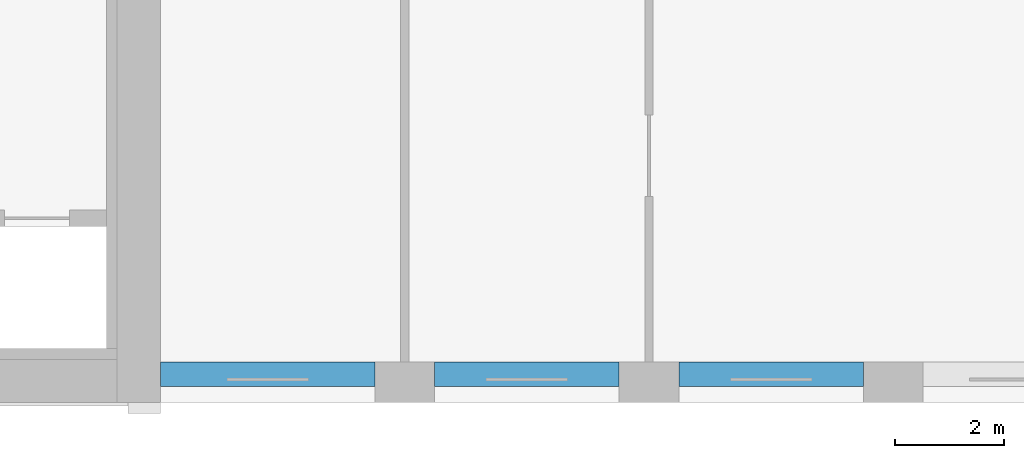
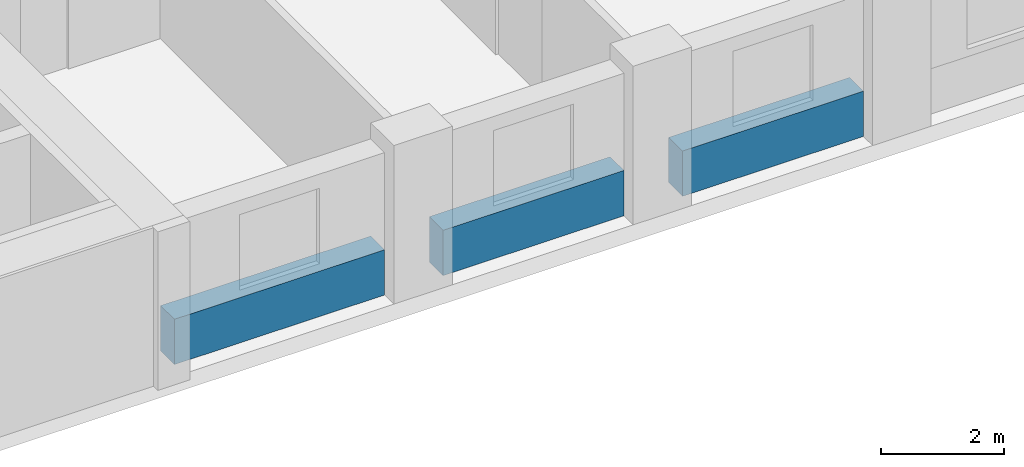
# One storey, part 3 of 16: 3 beams.
"""IFC4 building model written with IfcOpenShell, lengths in metres."""

from ifc_helpers import new_model, si_unit, direction, frame, origin, origin_2d, place, context, subcontext, project, spatial, rectangle, extrude, material, material_profile, profile_set, type_object, element, save


model = new_model("IFC4")

# Units and contexts
model_context = context("Model", 3, precision=1e-05, world=origin(), true_north=direction((0.0, 1.0)))
body_context = subcontext(model_context, "Body", "Model", "MODEL_VIEW")
ifc_project = project(units=[si_unit("LENGTHUNIT", "METRE"), si_unit("AREAUNIT", "SQUARE_METRE"), si_unit("VOLUMEUNIT", "CUBIC_METRE"), si_unit("PLANEANGLEUNIT", "RADIAN"), si_unit("MASSUNIT", "GRAM", prefix="KILO")], contexts=[model_context])

# Site, building, storey
site_placement = place(None, origin())
site = spatial("IfcSite", under=ifc_project, at=site_placement, CompositionType="ELEMENT")
building_placement = place(site_placement, origin())
building = spatial("IfcBuilding", under=site, at=building_placement, Name="Brigalow Station Residences", CompositionType="ELEMENT")
storey_placement = place(building_placement, frame((0.0, 0.0, 124.5)))
storey = spatial("IfcBuildingStorey", under=building, at=storey_placement, Name="L36", CompositionType="ELEMENT", Elevation=124.5)

# Beams
ifc_material = material(Name="Concrete C65", Category="concrete")
ifc_material_profile = material_profile(ifc_material, rectangle(XDim=0.449951171875, YDim=0.89990234375, at=origin_2d()), Name="RC450x900")
ifc_profile_set = profile_set([ifc_material_profile], Name="Concrete C65")
beam_type = type_object("IfcBeamType", Name="SPANDREL BEAM 450x900 C65", PredefinedType="SPANDREL", material=ifc_profile_set)
beam_placement = place(storey_placement, frame((54.0, 0.52490234375, 0.449951171875), z_axis=(1.0, 0.0, 0.0), x_axis=(0.0, 1.0, 0.0)))
element("IfcBeam", 1, at=beam_placement, inside=storey, type_object=beam_type, Name="L36/spandrel/W-L36-4", PredefinedType="SPANDREL", context=body_context, shape_type="SweptSolid", body=[
    extrude(rectangle(XDim=0.449951171875, YDim=0.89990234375, at=origin_2d()), origin(), (0.0, 0.0, 1.0), 3.949951171875),
])
for number, where, z_axis, x_axis, name in (
    (2, (59.050048828125, 0.52490234375, 0.449951171875), (1.0, 0.0, 0.0), (0.0, 1.0, 0.0), "L36/spandrel/W-L36-5"),
    (3, (63.550048828125, 0.52490234375, 0.449951171875), (1.0, 0.0, 0.0), (0.0, 1.0, 0.0), "L36/spandrel/W-L36-6"),
):
    element("IfcBeam", number, at=place(storey_placement, frame(where, z_axis=z_axis, x_axis=x_axis)), inside=storey, type_object=beam_type, Name=name, PredefinedType="SPANDREL", context=body_context, shape_type="SweptSolid", body=[
        extrude(rectangle(XDim=0.449951171875, YDim=0.89990234375, at=origin_2d()), origin(), (0.0, 0.0, 1.0), 3.39990234375),
    ])

save(model, "model.ifc")
